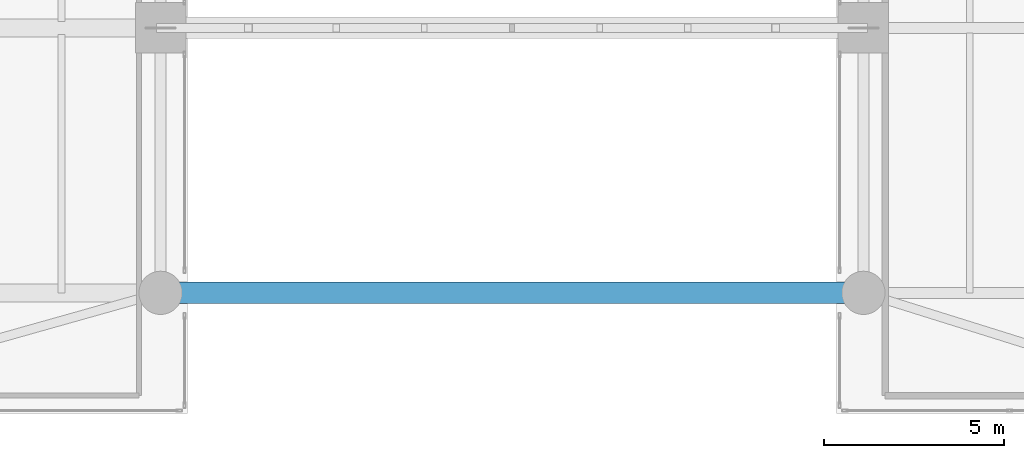
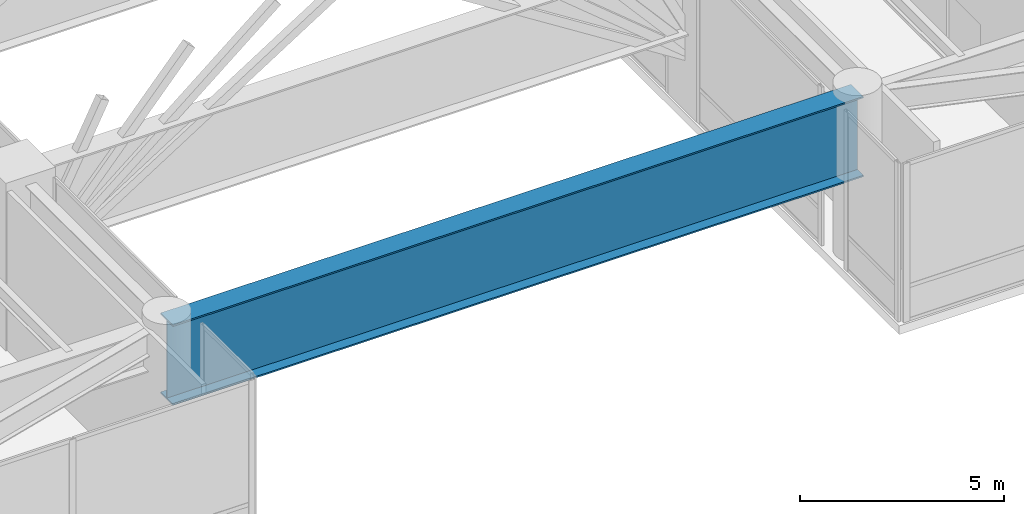
# One storey, part 13 of 39: 1 beam.
"""IFC4 building model written with IfcOpenShell, lengths in metres."""

from ifc_helpers import new_model, si_unit, direction, frame, origin, origin_2d, place, context, subcontext, project, spatial, i_section, extrude, source, transform, mapped, material, material_profile, profile_set, type_object, type_shapes, element, save


model = new_model("IFC4")

# Units and contexts
model_context = context("Model", 3, precision=1e-05, world=origin(), true_north=direction((0.0, 1.0)))
body_context = subcontext(model_context, "Body", "Model", "MODEL_VIEW")
ifc_project = project(units=[si_unit("LENGTHUNIT", "METRE"), si_unit("AREAUNIT", "SQUARE_METRE"), si_unit("VOLUMEUNIT", "CUBIC_METRE"), si_unit("PLANEANGLEUNIT", "RADIAN"), si_unit("MASSUNIT", "GRAM", prefix="KILO")], contexts=[model_context])

# Site, building, storey
site_placement = place(None, origin())
site = spatial("IfcSite", under=ifc_project, at=site_placement, CompositionType="ELEMENT")
building_placement = place(site_placement, origin())
building = spatial("IfcBuilding", under=site, at=building_placement, Name="Tolvann Quenvar Hotel", CompositionType="ELEMENT")
storey_placement = place(building_placement, frame((0.0, 0.0, 11.0)))
storey = spatial("IfcBuildingStorey", under=building, at=storey_placement, Name="L02", CompositionType="ELEMENT", Elevation=11.0)

# Beam
ifc_material = material(Name="Steel Grade 350", Category="steel")
ifc_material_profile = material_profile(ifc_material, i_section(OverallWidth=0.60009765625, OverallDepth=2.39990234375, WebThickness=0.02001953125, FlangeThickness=0.044921875, at=origin_2d()), Name="2400WB655")
ifc_profile_set = profile_set([ifc_material_profile], Name="Steel Grade 350")
beam_type = type_object("IfcBeamType", Name="BM_TG_2400WB655", PredefinedType="USERDEFINED", material=ifc_profile_set)
shared_shape = source(origin(), body_context, "Body", "SweptSolid", [
    extrude(i_section(OverallWidth=0.60009765625, OverallDepth=2.39990234375, WebThickness=0.02001953125, FlangeThickness=0.044921875, at=origin_2d()), origin(), (0.0, 0.0, 1.0), 19.5),
])
type_shapes(beam_type, [shared_shape])
beam_placement = place(storey_placement, frame((18.75, 0.85009765625, 3.5400390625), z_axis=(1.0, 0.0, 0.0), x_axis=(0.0, 1.0, 0.0)))
element("IfcBeam", 1, at=beam_placement, inside=storey, type_object=beam_type, Name="BM-L02-ATIE-1", ObjectType="TRANSFER GIRDER", PredefinedType="USERDEFINED", context=body_context, shape_type="MappedRepresentation", body=[
    mapped(shared_shape, transform((0.0, 0.0, 0.0), x_axis=(1.0, 0.0, 0.0), y_axis=(0.0, 1.0, 0.0), z_axis=(0.0, 0.0, 1.0), scale=1.0)),
])

save(model, "model.ifc")
